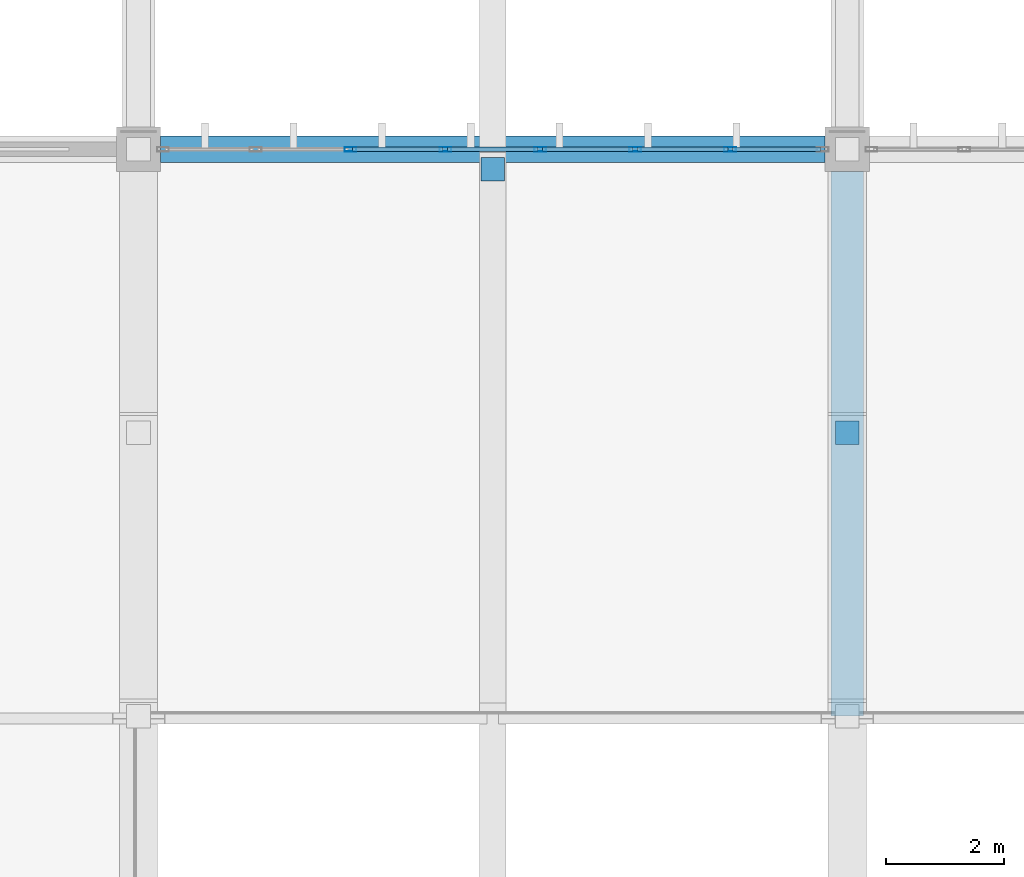
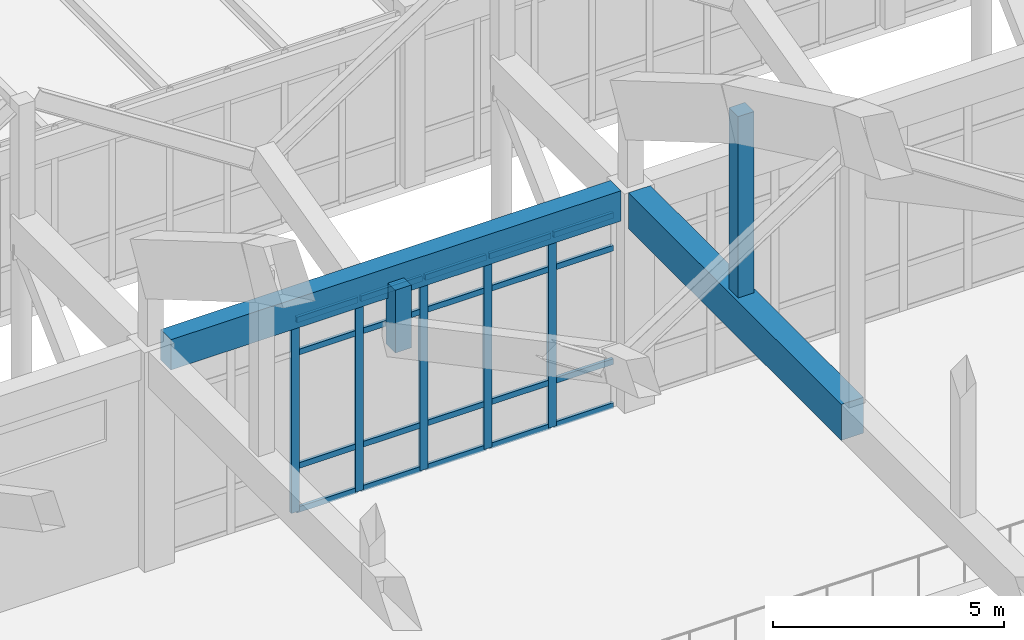
# One storey, part 77 of 236: 27 members, 2 beams, 1 element without a shape of its own.
"""IFC4 building model written with IfcOpenShell, lengths in metres."""

from ifc_helpers import new_model, si_unit, direction, frame, origin, origin_2d, place, context, subcontext, project, spatial, rectangle, hollow_rectangle, extrude, material, layer, layer_set, material_profile, profile_set, type_object, element, aggregate, save


model = new_model("IFC4")

# Units and contexts
model_context = context("Model", 3, precision=1e-05, world=origin(), true_north=direction((0.0, 1.0)))
body_context = subcontext(model_context, "Body", "Model", "MODEL_VIEW")
ifc_project = project(units=[si_unit("LENGTHUNIT", "METRE"), si_unit("AREAUNIT", "SQUARE_METRE"), si_unit("VOLUMEUNIT", "CUBIC_METRE"), si_unit("PLANEANGLEUNIT", "RADIAN"), si_unit("MASSUNIT", "GRAM", prefix="KILO")], contexts=[model_context])

# Site, building, storey
site_placement = place(None, origin())
site = spatial("IfcSite", under=ifc_project, at=site_placement, CompositionType="ELEMENT")
building_placement = place(site_placement, origin())
building = spatial("IfcBuilding", under=site, at=building_placement, Name="Pandanus Reach Market Hall", CompositionType="ELEMENT")
storey_placement = place(building_placement, frame((0.0, 0.0, 5.39990234375)))
storey = spatial("IfcBuildingStorey", under=building, at=storey_placement, Name="L01", CompositionType="ELEMENT", Elevation=5.39990234375)

# Members
ifc_material_1 = material(Name="Concrete N50 (50 MPa)", Category="concrete")
ifc_material_profile_1 = material_profile(ifc_material_1, rectangle(XDim=0.39990234375, YDim=0.39990234375, at=origin_2d()), Name="RC400x400", Category="LoadBearing")
ifc_profile_set_1 = profile_set([ifc_material_profile_1], Name="Concrete N50 (50 MPa)")
member_type_1 = type_object("IfcMemberType", Name="AR-WEB400-E", PredefinedType="STRUT", material=ifc_profile_set_1)
member_1_placement = place(storey_placement, frame((72.0, 81.60009765625, 5.3251953125), z_axis=(0.0, 0.0, 1.0), x_axis=(1.0, 0.0, 0.0)))
element("IfcMember", 1, at=member_1_placement, inside=storey, type_object=member_type_1, Name="Arch truss vertical web strut A3.11", PredefinedType="STRUT", context=body_context, shape_type="SweptSolid", body=[
    extrude(rectangle(XDim=0.39990234375, YDim=0.39990234375, at=origin_2d()), origin(), (0.0, 0.0, 1.0), 5.26611328125),
])
member_2_placement = place(storey_placement, frame((66.0, 86.06005859375, 3.739990234375), z_axis=(0.0, 0.0, 1.0), x_axis=(1.0, 0.0, 0.0)))
element("IfcMember", 2, at=member_2_placement, inside=storey, type_object=member_type_1, Name="Butterfly north eave valley hanger B2N", PredefinedType="STRUT", context=body_context, shape_type="SweptSolid", body=[
    extrude(rectangle(XDim=0.39990234375, YDim=0.39990234375, at=origin_2d()), origin(), (0.0, 0.0, 1.0), 1.66015625),
])

# Beams
ifc_material_2 = material(Name="Concrete N40 (40 MPa)", Category="concrete")
ifc_material_profile_2 = material_profile(ifc_material_2, rectangle(XDim=0.449951171875, YDim=0.800048828125, at=origin_2d()), Name="RC450x800", Category="LoadBearing")
ifc_profile_set_2 = profile_set([ifc_material_profile_2], Name="Concrete N40 (40 MPa)")
beam_type_1 = type_object("IfcBeamType", Name="BM-RC450-E", PredefinedType="SPANDREL", material=ifc_profile_set_2)
beam_1_placement = place(storey_placement, frame((60.373046875, 86.39990234375, 5.400146484375), z_axis=(1.0, 0.0, 0.0), x_axis=(0.0, 1.0, 0.0)))
element("IfcBeam", 3, at=beam_1_placement, inside=storey, type_object=beam_type_1, Name="Framing beam BM-RC450-E L01.1146", PredefinedType="SPANDREL", context=body_context, shape_type="SweptSolid", body=[
    extrude(rectangle(XDim=0.449951171875, YDim=0.800048828125, at=origin_2d()), origin(), (0.0, 0.0, 1.0), 11.25390625),
])
ifc_material_profile_3 = material_profile(ifc_material_1, rectangle(XDim=0.550048828125, YDim=0.949951171875, at=origin_2d()), Name="RC550x950", Category="LoadBearing")
ifc_profile_set_3 = profile_set([ifc_material_profile_3], Name="Concrete N50 (50 MPa)")
beam_type_2 = type_object("IfcBeamType", Name="BM-RC550-I", PredefinedType="BEAM", material=ifc_profile_set_3)
beam_2_placement = place(storey_placement, frame((72.0, 76.800048828125, 5.3251953125), z_axis=(0.0, 1.0, 0.0), x_axis=(-1.0, 0.0, 0.0)))
element("IfcBeam", 4, at=beam_2_placement, inside=storey, type_object=beam_type_2, Name="Parabolic arch tie girder A3.6", PredefinedType="BEAM", context=body_context, shape_type="SweptSolid", body=[
    extrude(rectangle(XDim=0.550048828125, YDim=0.949951171875, at=origin_2d()), origin(), (0.0, 0.0, 1.0), 9.22705078125),
])

# Curtain wall, members
ifc_material_3 = material(Name="Bronze anodised aluminium and low-E glass", Category="aluminium")
ifc_layer = layer(ifc_material_3, 0.199951171875, Name="CW-02")
ifc_layer_set = layer_set([ifc_layer], Name="Bronze anodised aluminium and low-E glass")
curtain_wall_type = type_object("IfcCurtainWallType", Name="CW-02", PredefinedType="NOTDEFINED", material=ifc_layer_set)
curtain_wall_placement = place(storey_placement, origin())
curtain_wall = element("IfcCurtainWall", 5, at=curtain_wall_placement, inside=storey, type_object=curtain_wall_type, Name="Glazed curtain wall CW-02 CW-0010", PredefinedType="NOTDEFINED")
ifc_material_4 = material(Name="Bronze anodised aluminium", Category="aluminium")
ifc_material_profile_4 = material_profile(ifc_material_4, hollow_rectangle(XDim=0.074951171875, YDim=0.199951171875, WallThickness=0.00439453125, at=origin_2d()), Name="ALU75x200", Category="LoadBearing")
ifc_profile_set_4 = profile_set([ifc_material_profile_4], Name="Bronze anodised aluminium")
member_type_2 = type_object("IfcMemberType", Name="CW-M2", PredefinedType="MULLION", material=ifc_profile_set_4)
member_3_placement = place(storey_placement, frame((63.58935546875, 86.39990234375, 0.0), z_axis=(0.0, 0.0, 1.0), x_axis=(0.0, 1.0, 0.0)))
member_3 = element("IfcMember", 6, at=member_3_placement, type_object=member_type_2, Name="CW-02 mullion 3", PredefinedType="MULLION", context=body_context, shape_type="SweptSolid", body=[
    extrude(hollow_rectangle(XDim=0.074951171875, YDim=0.199951171875, WallThickness=0.00439453125, at=origin_2d()), origin(), (0.0, 0.0, 1.0), 5.10009765625),
])
member_4_placement = place(storey_placement, frame((65.196533203125, 86.39990234375, 0.0), z_axis=(0.0, 0.0, 1.0), x_axis=(0.0, 1.0, 0.0)))
member_4 = element("IfcMember", 7, at=member_4_placement, type_object=member_type_2, Name="CW-02 mullion 4", PredefinedType="MULLION", context=body_context, shape_type="SweptSolid", body=[
    extrude(hollow_rectangle(XDim=0.074951171875, YDim=0.199951171875, WallThickness=0.00439453125, at=origin_2d()), origin(), (0.0, 0.0, 1.0), 5.10009765625),
])
member_5_placement = place(storey_placement, frame((66.803466796875, 86.39990234375, 0.0), z_axis=(0.0, 0.0, 1.0), x_axis=(0.0, 1.0, 0.0)))
member_5 = element("IfcMember", 8, at=member_5_placement, type_object=member_type_2, Name="CW-02 mullion 5", PredefinedType="MULLION", context=body_context, shape_type="SweptSolid", body=[
    extrude(hollow_rectangle(XDim=0.074951171875, YDim=0.199951171875, WallThickness=0.00439453125, at=origin_2d()), origin(), (0.0, 0.0, 1.0), 5.10009765625),
])
member_6_placement = place(storey_placement, frame((68.41064453125, 86.39990234375, 0.0), z_axis=(0.0, 0.0, 1.0), x_axis=(0.0, 1.0, 0.0)))
member_6 = element("IfcMember", 9, at=member_6_placement, type_object=member_type_2, Name="CW-02 mullion 6", PredefinedType="MULLION", context=body_context, shape_type="SweptSolid", body=[
    extrude(hollow_rectangle(XDim=0.074951171875, YDim=0.199951171875, WallThickness=0.00439453125, at=origin_2d()), origin(), (0.0, 0.0, 1.0), 5.10009765625),
])
member_7_placement = place(storey_placement, frame((70.017822265625, 86.39990234375, 0.0), z_axis=(0.0, 0.0, 1.0), x_axis=(0.0, 1.0, 0.0)))
member_7 = element("IfcMember", 10, at=member_7_placement, type_object=member_type_2, Name="CW-02 mullion 7", PredefinedType="MULLION", context=body_context, shape_type="SweptSolid", body=[
    extrude(hollow_rectangle(XDim=0.074951171875, YDim=0.199951171875, WallThickness=0.00439453125, at=origin_2d()), origin(), (0.0, 0.0, 1.0), 5.10009765625),
])
ifc_material_profile_5 = material_profile(ifc_material_4, hollow_rectangle(XDim=0.074951171875, YDim=0.14990234375, WallThickness=0.00439453125, at=origin_2d()), Name="ALU75x150", Category="LoadBearing")
ifc_profile_set_5 = profile_set([ifc_material_profile_5], Name="Bronze anodised aluminium")
member_type_3 = type_object("IfcMemberType", Name="CW-T2", PredefinedType="USERDEFINED", material=ifc_profile_set_5)
member_8_placement = place(storey_placement, frame((63.626708984375, 86.39990234375, 0.03759765625), z_axis=(1.0, 0.0, 0.0), x_axis=(0.0, 1.0, 0.0)))
member_8 = element("IfcMember", 11, at=member_8_placement, type_object=member_type_3, Name="CW-02 transom 3.1", ObjectType="TRANSOM", PredefinedType="USERDEFINED", context=body_context, shape_type="SweptSolid", body=[
    extrude(hollow_rectangle(XDim=0.074951171875, YDim=0.14990234375, WallThickness=0.00439453125, at=origin_2d()), origin(), (0.0, 0.0, 1.0), 1.5322265625),
])
member_9_placement = place(storey_placement, frame((63.626708984375, 86.39990234375, 1.2001953125), z_axis=(1.0, 0.0, 0.0), x_axis=(0.0, 1.0, 0.0)))
member_9 = element("IfcMember", 12, at=member_9_placement, type_object=member_type_3, Name="CW-02 transom 3.2", ObjectType="TRANSOM", PredefinedType="USERDEFINED", context=body_context, shape_type="SweptSolid", body=[
    extrude(hollow_rectangle(XDim=0.074951171875, YDim=0.14990234375, WallThickness=0.00439453125, at=origin_2d()), origin(), (0.0, 0.0, 1.0), 1.5322265625),
])
member_10_placement = place(storey_placement, frame((63.626708984375, 86.39990234375, 4.2001953125), z_axis=(1.0, 0.0, 0.0), x_axis=(0.0, 1.0, 0.0)))
member_10 = element("IfcMember", 13, at=member_10_placement, type_object=member_type_3, Name="CW-02 transom 3.3", ObjectType="TRANSOM", PredefinedType="USERDEFINED", context=body_context, shape_type="SweptSolid", body=[
    extrude(hollow_rectangle(XDim=0.074951171875, YDim=0.14990234375, WallThickness=0.00439453125, at=origin_2d()), origin(), (0.0, 0.0, 1.0), 1.5322265625),
])
member_11_placement = place(storey_placement, frame((63.626708984375, 86.39990234375, 5.0625), z_axis=(1.0, 0.0, 0.0), x_axis=(0.0, 1.0, 0.0)))
member_11 = element("IfcMember", 14, at=member_11_placement, type_object=member_type_3, Name="CW-02 transom 3.4", ObjectType="TRANSOM", PredefinedType="USERDEFINED", context=body_context, shape_type="SweptSolid", body=[
    extrude(hollow_rectangle(XDim=0.074951171875, YDim=0.14990234375, WallThickness=0.00439453125, at=origin_2d()), origin(), (0.0, 0.0, 1.0), 1.5322265625),
])
member_12_placement = place(storey_placement, frame((65.23388671875, 86.39990234375, 0.03759765625), z_axis=(1.0, 0.0, 0.0), x_axis=(0.0, 1.0, 0.0)))
member_12 = element("IfcMember", 15, at=member_12_placement, type_object=member_type_3, Name="CW-02 transom 4.1", ObjectType="TRANSOM", PredefinedType="USERDEFINED", context=body_context, shape_type="SweptSolid", body=[
    extrude(hollow_rectangle(XDim=0.074951171875, YDim=0.14990234375, WallThickness=0.00439453125, at=origin_2d()), origin(), (0.0, 0.0, 1.0), 1.5322265625),
])
member_13_placement = place(storey_placement, frame((65.23388671875, 86.39990234375, 1.2001953125), z_axis=(1.0, 0.0, 0.0), x_axis=(0.0, 1.0, 0.0)))
member_13 = element("IfcMember", 16, at=member_13_placement, type_object=member_type_3, Name="CW-02 transom 4.2", ObjectType="TRANSOM", PredefinedType="USERDEFINED", context=body_context, shape_type="SweptSolid", body=[
    extrude(hollow_rectangle(XDim=0.074951171875, YDim=0.14990234375, WallThickness=0.00439453125, at=origin_2d()), origin(), (0.0, 0.0, 1.0), 1.5322265625),
])
member_14_placement = place(storey_placement, frame((65.23388671875, 86.39990234375, 4.2001953125), z_axis=(1.0, 0.0, 0.0), x_axis=(0.0, 1.0, 0.0)))
member_14 = element("IfcMember", 17, at=member_14_placement, type_object=member_type_3, Name="CW-02 transom 4.3", ObjectType="TRANSOM", PredefinedType="USERDEFINED", context=body_context, shape_type="SweptSolid", body=[
    extrude(hollow_rectangle(XDim=0.074951171875, YDim=0.14990234375, WallThickness=0.00439453125, at=origin_2d()), origin(), (0.0, 0.0, 1.0), 1.5322265625),
])
member_15_placement = place(storey_placement, frame((65.23388671875, 86.39990234375, 5.0625), z_axis=(1.0, 0.0, 0.0), x_axis=(0.0, 1.0, 0.0)))
member_15 = element("IfcMember", 18, at=member_15_placement, type_object=member_type_3, Name="CW-02 transom 4.4", ObjectType="TRANSOM", PredefinedType="USERDEFINED", context=body_context, shape_type="SweptSolid", body=[
    extrude(hollow_rectangle(XDim=0.074951171875, YDim=0.14990234375, WallThickness=0.00439453125, at=origin_2d()), origin(), (0.0, 0.0, 1.0), 1.5322265625),
])
member_16_placement = place(storey_placement, frame((66.841064453125, 86.39990234375, 0.03759765625), z_axis=(1.0, 0.0, 0.0), x_axis=(0.0, 1.0, 0.0)))
member_16 = element("IfcMember", 19, at=member_16_placement, type_object=member_type_3, Name="CW-02 transom 5.1", ObjectType="TRANSOM", PredefinedType="USERDEFINED", context=body_context, shape_type="SweptSolid", body=[
    extrude(hollow_rectangle(XDim=0.074951171875, YDim=0.14990234375, WallThickness=0.00439453125, at=origin_2d()), origin(), (0.0, 0.0, 1.0), 1.5322265625),
])
member_17_placement = place(storey_placement, frame((66.841064453125, 86.39990234375, 1.2001953125), z_axis=(1.0, 0.0, 0.0), x_axis=(0.0, 1.0, 0.0)))
member_17 = element("IfcMember", 20, at=member_17_placement, type_object=member_type_3, Name="CW-02 transom 5.2", ObjectType="TRANSOM", PredefinedType="USERDEFINED", context=body_context, shape_type="SweptSolid", body=[
    extrude(hollow_rectangle(XDim=0.074951171875, YDim=0.14990234375, WallThickness=0.00439453125, at=origin_2d()), origin(), (0.0, 0.0, 1.0), 1.5322265625),
])
member_18_placement = place(storey_placement, frame((66.841064453125, 86.39990234375, 4.2001953125), z_axis=(1.0, 0.0, 0.0), x_axis=(0.0, 1.0, 0.0)))
member_18 = element("IfcMember", 21, at=member_18_placement, type_object=member_type_3, Name="CW-02 transom 5.3", ObjectType="TRANSOM", PredefinedType="USERDEFINED", context=body_context, shape_type="SweptSolid", body=[
    extrude(hollow_rectangle(XDim=0.074951171875, YDim=0.14990234375, WallThickness=0.00439453125, at=origin_2d()), origin(), (0.0, 0.0, 1.0), 1.5322265625),
])
member_19_placement = place(storey_placement, frame((66.841064453125, 86.39990234375, 5.0625), z_axis=(1.0, 0.0, 0.0), x_axis=(0.0, 1.0, 0.0)))
member_19 = element("IfcMember", 22, at=member_19_placement, type_object=member_type_3, Name="CW-02 transom 5.4", ObjectType="TRANSOM", PredefinedType="USERDEFINED", context=body_context, shape_type="SweptSolid", body=[
    extrude(hollow_rectangle(XDim=0.074951171875, YDim=0.14990234375, WallThickness=0.00439453125, at=origin_2d()), origin(), (0.0, 0.0, 1.0), 1.5322265625),
])
member_20_placement = place(storey_placement, frame((68.4482421875, 86.39990234375, 0.03759765625), z_axis=(1.0, 0.0, 0.0), x_axis=(0.0, 1.0, 0.0)))
member_20 = element("IfcMember", 23, at=member_20_placement, type_object=member_type_3, Name="CW-02 transom 6.1", ObjectType="TRANSOM", PredefinedType="USERDEFINED", context=body_context, shape_type="SweptSolid", body=[
    extrude(hollow_rectangle(XDim=0.074951171875, YDim=0.14990234375, WallThickness=0.00439453125, at=origin_2d()), origin(), (0.0, 0.0, 1.0), 1.5322265625),
])
member_21_placement = place(storey_placement, frame((68.4482421875, 86.39990234375, 1.2001953125), z_axis=(1.0, 0.0, 0.0), x_axis=(0.0, 1.0, 0.0)))
member_21 = element("IfcMember", 24, at=member_21_placement, type_object=member_type_3, Name="CW-02 transom 6.2", ObjectType="TRANSOM", PredefinedType="USERDEFINED", context=body_context, shape_type="SweptSolid", body=[
    extrude(hollow_rectangle(XDim=0.074951171875, YDim=0.14990234375, WallThickness=0.00439453125, at=origin_2d()), origin(), (0.0, 0.0, 1.0), 1.5322265625),
])
member_22_placement = place(storey_placement, frame((68.4482421875, 86.39990234375, 4.2001953125), z_axis=(1.0, 0.0, 0.0), x_axis=(0.0, 1.0, 0.0)))
member_22 = element("IfcMember", 25, at=member_22_placement, type_object=member_type_3, Name="CW-02 transom 6.3", ObjectType="TRANSOM", PredefinedType="USERDEFINED", context=body_context, shape_type="SweptSolid", body=[
    extrude(hollow_rectangle(XDim=0.074951171875, YDim=0.14990234375, WallThickness=0.00439453125, at=origin_2d()), origin(), (0.0, 0.0, 1.0), 1.5322265625),
])
member_23_placement = place(storey_placement, frame((68.4482421875, 86.39990234375, 5.0625), z_axis=(1.0, 0.0, 0.0), x_axis=(0.0, 1.0, 0.0)))
member_23 = element("IfcMember", 26, at=member_23_placement, type_object=member_type_3, Name="CW-02 transom 6.4", ObjectType="TRANSOM", PredefinedType="USERDEFINED", context=body_context, shape_type="SweptSolid", body=[
    extrude(hollow_rectangle(XDim=0.074951171875, YDim=0.14990234375, WallThickness=0.00439453125, at=origin_2d()), origin(), (0.0, 0.0, 1.0), 1.5322265625),
])
member_24_placement = place(storey_placement, frame((70.055419921875, 86.39990234375, 0.03759765625), z_axis=(1.0, 0.0, 0.0), x_axis=(0.0, 1.0, 0.0)))
member_24 = element("IfcMember", 27, at=member_24_placement, type_object=member_type_3, Name="CW-02 transom 7.1", ObjectType="TRANSOM", PredefinedType="USERDEFINED", context=body_context, shape_type="SweptSolid", body=[
    extrude(hollow_rectangle(XDim=0.074951171875, YDim=0.14990234375, WallThickness=0.00439453125, at=origin_2d()), origin(), (0.0, 0.0, 1.0), 1.49462890625),
])
member_25_placement = place(storey_placement, frame((70.055419921875, 86.39990234375, 1.2001953125), z_axis=(1.0, 0.0, 0.0), x_axis=(0.0, 1.0, 0.0)))
member_25 = element("IfcMember", 28, at=member_25_placement, type_object=member_type_3, Name="CW-02 transom 7.2", ObjectType="TRANSOM", PredefinedType="USERDEFINED", context=body_context, shape_type="SweptSolid", body=[
    extrude(hollow_rectangle(XDim=0.074951171875, YDim=0.14990234375, WallThickness=0.00439453125, at=origin_2d()), origin(), (0.0, 0.0, 1.0), 1.49462890625),
])
member_26_placement = place(storey_placement, frame((70.055419921875, 86.39990234375, 4.2001953125), z_axis=(1.0, 0.0, 0.0), x_axis=(0.0, 1.0, 0.0)))
member_26 = element("IfcMember", 29, at=member_26_placement, type_object=member_type_3, Name="CW-02 transom 7.3", ObjectType="TRANSOM", PredefinedType="USERDEFINED", context=body_context, shape_type="SweptSolid", body=[
    extrude(hollow_rectangle(XDim=0.074951171875, YDim=0.14990234375, WallThickness=0.00439453125, at=origin_2d()), origin(), (0.0, 0.0, 1.0), 1.49462890625),
])
member_27_placement = place(storey_placement, frame((70.055419921875, 86.39990234375, 5.0625), z_axis=(1.0, 0.0, 0.0), x_axis=(0.0, 1.0, 0.0)))
member_27 = element("IfcMember", 30, at=member_27_placement, type_object=member_type_3, Name="CW-02 transom 7.4", ObjectType="TRANSOM", PredefinedType="USERDEFINED", context=body_context, shape_type="SweptSolid", body=[
    extrude(hollow_rectangle(XDim=0.074951171875, YDim=0.14990234375, WallThickness=0.00439453125, at=origin_2d()), origin(), (0.0, 0.0, 1.0), 1.49462890625),
])
aggregate(curtain_wall, [member_3, member_4, member_5, member_6, member_7, member_8, member_9, member_10, member_11, member_12, member_13, member_14, member_15, member_16, member_17, member_18, member_19, member_20, member_21, member_22, member_23, member_24, member_25, member_26, member_27])

save(model, "model.ifc")
